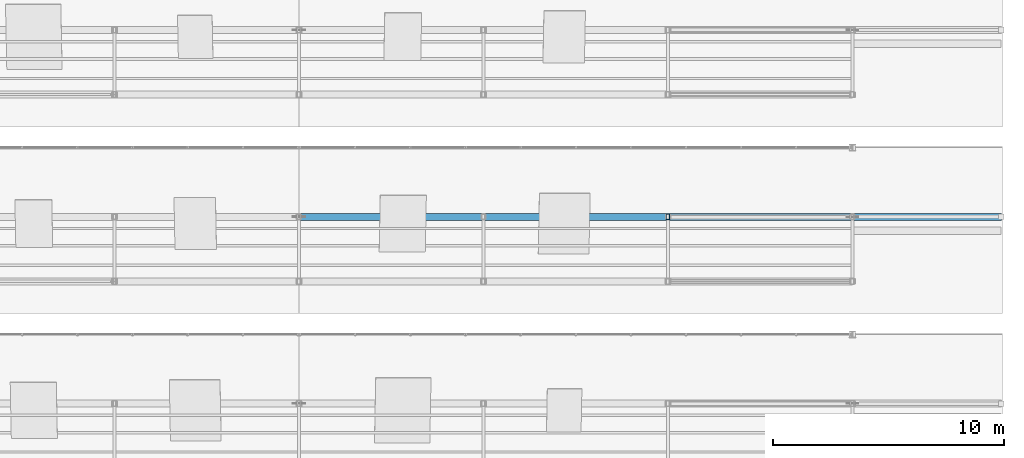
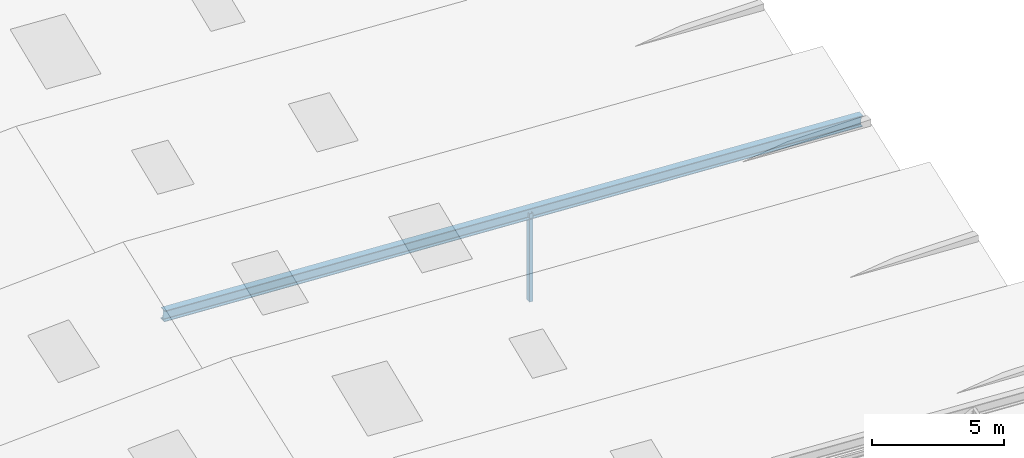
# One storey, part 66 of 141: 2 members.
"""IFC4 building model written with IfcOpenShell, lengths in metres."""

from ifc_helpers import new_model, si_unit, direction, frame, origin, origin_2d, place, context, subcontext, project, spatial, hollow_rectangle, i_section, extrude, material, material_profile, profile_set, type_object, element, save


model = new_model("IFC4")

# Units and contexts
model_context = context("Model", 3, precision=1e-05, world=origin(), true_north=direction((0.0, 1.0)))
body_context = subcontext(model_context, "Body", "Model", "MODEL_VIEW")
ifc_project = project(units=[si_unit("LENGTHUNIT", "METRE"), si_unit("AREAUNIT", "SQUARE_METRE"), si_unit("VOLUMEUNIT", "CUBIC_METRE"), si_unit("PLANEANGLEUNIT", "RADIAN"), si_unit("MASSUNIT", "GRAM", prefix="KILO")], contexts=[model_context])

# Site, building, storey
site_placement = place(None, origin())
site = spatial("IfcSite", under=ifc_project, at=site_placement, CompositionType="ELEMENT")
building_placement = place(site_placement, origin())
building = spatial("IfcBuilding", under=site, at=building_placement, Name="Sundkrona Museum", CompositionType="ELEMENT")
storey_placement = place(building_placement, frame((0.0, 0.0, 34.0)))
storey = spatial("IfcBuildingStorey", under=building, at=storey_placement, Name="RF", CompositionType="ELEMENT", Elevation=34.0)

# Members
ifc_material = material(Name="Steel S355J2", Category="steel")
ifc_material_profile_1 = material_profile(ifc_material, hollow_rectangle(XDim=0.14990234375, YDim=0.25, WallThickness=0.010009765625, at=origin_2d()), Name="RHS 250x150x10.0")
ifc_profile_set_1 = profile_set([ifc_material_profile_1], Name="Steel S355J2")
member_type_1 = type_object("IfcMemberType", Name="ST-RHS250", PredefinedType="STRUT", material=ifc_profile_set_1)
member_1_placement = place(storey_placement, frame((160.0, 23.5, -0.25), z_axis=(0.0, 0.0, 1.0), x_axis=(1.0, 0.0, 0.0)))
element("IfcMember", 1, at=member_1_placement, inside=storey, type_object=member_type_1, Name="RFS-1 Sawtooth Truss 4 Vertical Post 6", PredefinedType="STRUT", context=body_context, shape_type="SweptSolid", body=[
    extrude(hollow_rectangle(XDim=0.14990234375, YDim=0.25, WallThickness=0.010009765625, at=origin_2d()), origin(), (0.0, 0.0, 1.0), 4.0703125),
])
ifc_material_profile_2 = material_profile(ifc_material, i_section(OverallWidth=0.300048828125, OverallDepth=0.5, WebThickness=0.014404296875, FlangeThickness=0.028076171875, FilletRadius=0.027099609375, at=origin_2d()), Name="HEB 500")
ifc_profile_set_2 = profile_set([ifc_material_profile_2], Name="Steel S355J2")
member_type_2 = type_object("IfcMemberType", Name="TC-HEB500", PredefinedType="CHORD", material=ifc_profile_set_2)
member_2_placement = place(storey_placement, frame((144.0, 23.5, 4.685791015625), z_axis=(0.998540021616, 0.0, -0.054016897652), x_axis=(0.0, 1.0, 0.0)))
element("IfcMember", 2, at=member_2_placement, inside=storey, type_object=member_type_2, Name="RFS-1 Sawtooth Truss 4 East Sloped Top Chord", PredefinedType="CHORD", context=body_context, shape_type="SweptSolid", body=[
    extrude(i_section(OverallWidth=0.300048828125, OverallDepth=0.5, WebThickness=0.014404296875, FlangeThickness=0.028076171875, FilletRadius=0.027099609375, at=origin_2d()), origin(), (0.0, 0.0, 1.0), 30.494384765625),
])

save(model, "model.ifc")
